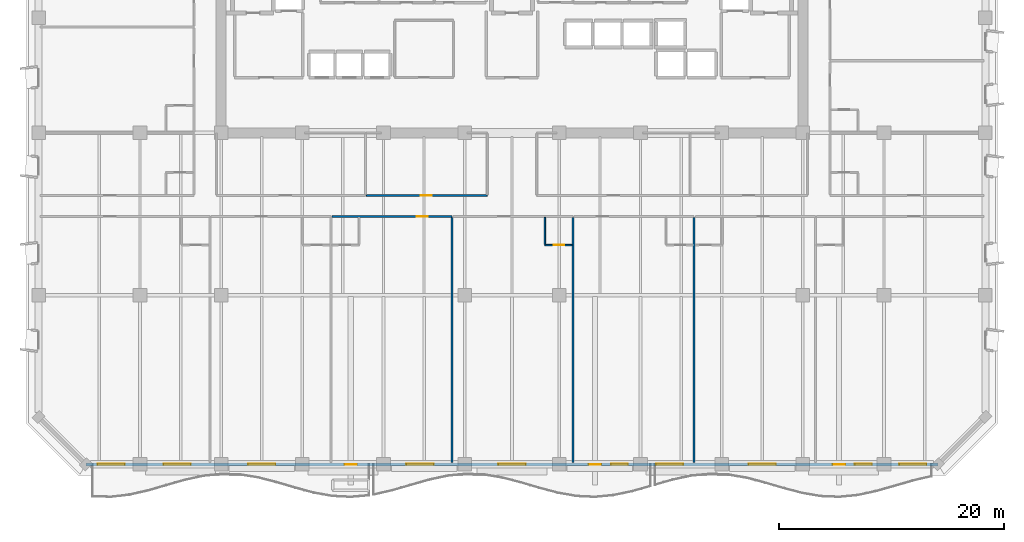
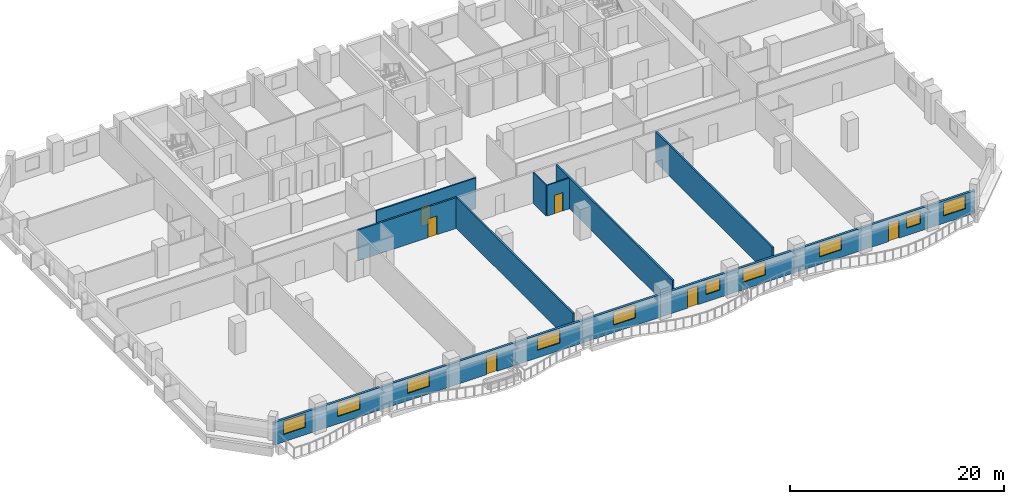
# One storey, part 5 of 15: 10 windows, 8 walls, 6 doors, 16 openings.
"""IFC4 building model written with IfcOpenShell, lengths in metres."""

from ifc_helpers import new_model, si_unit, direction, frame, frame_2d, origin, place, context, subcontext, project, spatial, rectangle, extrude, material, layer, layer_set, type_object, element, fill, save


model = new_model("IFC4")

# Units and contexts
model_context = context("Model", 3, precision=1e-05, world=origin(), true_north=direction((0.0, 1.0)))
body_context = subcontext(model_context, "Body", "Model", "MODEL_VIEW")
ifc_project = project(units=[si_unit("LENGTHUNIT", "METRE"), si_unit("AREAUNIT", "SQUARE_METRE"), si_unit("VOLUMEUNIT", "CUBIC_METRE"), si_unit("PLANEANGLEUNIT", "RADIAN"), si_unit("MASSUNIT", "GRAM", prefix="KILO")], contexts=[model_context])

# Site, building, storey
site_placement = place(None, origin())
site = spatial("IfcSite", under=ifc_project, at=site_placement, CompositionType="ELEMENT")
building_placement = place(site_placement, origin())
building = spatial("IfcBuilding", under=site, at=building_placement, Name="Kaelvorn Grand Hotel", CompositionType="ELEMENT")
storey_placement = place(building_placement, frame((0.0, 0.0, 100.550048828125)))
storey = spatial("IfcBuildingStorey", under=building, at=storey_placement, Name="L23", CompositionType="ELEMENT", Elevation=100.550048828125)

# Wall, openings, doors, windows
ifc_material_1 = material(Name="Concrete C40/50", Category="concrete")
ifc_layer_1 = layer(ifc_material_1, 0.260009765625)
ifc_layer_set_1 = layer_set([ifc_layer_1], Name="Concrete C40/50")
wall_type_1 = type_object("IfcWallType", Name="WL-EXT-260-C40", PredefinedType="SOLIDWALL", material=ifc_layer_set_1)
wall_1_placement = place(storey_placement, frame((4.199951171875, 0.0, 0.0), z_axis=(0.0, 0.0, 1.0), x_axis=(1.0, 0.0, 0.0)))
wall_1 = element("IfcWall", 1, at=wall_1_placement, inside=storey, type_object=wall_type_1, Name="L23 Exterior Architectural Concrete Wall 01", PredefinedType="SOLIDWALL", context=body_context, shape_type="SweptSolid", body=[
    extrude(rectangle(XDim=75.60009765625, YDim=0.260009765625, at=frame_2d((37.800048828125, 0.0))), origin(), (0.0, 0.0, 1.0), 2.56005859375),
])
opening_1_placement = place(wall_1_placement, frame((22.94775390625, 0.0, 0.0)))
opening_1 = element("IfcOpeningElement", 2, at=opening_1_placement, cuts=wall_1, Name="Opening DE2", PredefinedType="OPENING", context=body_context, shape_type="SweptSolid", body=[
    extrude(rectangle(XDim=1.10009765625, YDim=2.14990234375, at=frame_2d((0.550048828125, 1.074951171875))), frame((0.0, 0.14013671875, 0.0), z_axis=(0.0, -1.0, 0.0), x_axis=(1.0, 0.0, 0.0)), (0.0, 0.0, 1.0), 0.280029296875),
])
opening_2_placement = place(wall_1_placement, frame((44.610107421875, 0.0, 0.0)))
opening_2 = element("IfcOpeningElement", 3, at=opening_2_placement, cuts=wall_1, Name="Opening DE2", PredefinedType="OPENING", context=body_context, shape_type="SweptSolid", body=[
    extrude(rectangle(XDim=1.10009765625, YDim=2.14990234375, at=frame_2d((0.550048828125, 1.074951171875))), frame((0.0, 0.14013671875, 0.0), z_axis=(0.0, -1.0, 0.0), x_axis=(1.0, 0.0, 0.0)), (0.0, 0.0, 1.0), 0.280029296875),
])
opening_3_placement = place(wall_1_placement, frame((66.272216796875, 0.0, 0.0)))
opening_3 = element("IfcOpeningElement", 4, at=opening_3_placement, cuts=wall_1, Name="Opening DE2", PredefinedType="OPENING", context=body_context, shape_type="SweptSolid", body=[
    extrude(rectangle(XDim=1.10009765625, YDim=2.14990234375, at=frame_2d((0.550048828125, 1.074951171875))), frame((0.0, 0.14013671875, 0.0), z_axis=(0.0, -1.0, 0.0), x_axis=(1.0, 0.0, 0.0)), (0.0, 0.0, 1.0), 0.280029296875),
])
opening_4_placement = place(wall_1_placement, frame((1.034912109375, 0.0, 0.85009765625)))
opening_4 = element("IfcOpeningElement", 5, at=opening_4_placement, cuts=wall_1, Name="Opening W6", PredefinedType="OPENING", context=body_context, shape_type="SweptSolid", body=[
    extrude(rectangle(XDim=2.39990234375, YDim=1.5, at=frame_2d((1.199951171875, 0.75))), frame((0.0, 0.14013671875, 0.0), z_axis=(0.0, -1.0, 0.0), x_axis=(1.0, 0.0, 0.0)), (0.0, 0.0, 1.0), 0.280029296875),
])
opening_5_placement = place(wall_1_placement, frame((6.896484375, 0.0, 0.85009765625)))
opening_5 = element("IfcOpeningElement", 6, at=opening_5_placement, cuts=wall_1, Name="Opening W6", PredefinedType="OPENING", context=body_context, shape_type="SweptSolid", body=[
    extrude(rectangle(XDim=2.39990234375, YDim=1.5, at=frame_2d((1.199951171875, 0.75))), frame((0.0, 0.14013671875, 0.0), z_axis=(0.0, -1.0, 0.0), x_axis=(1.0, 0.0, 0.0)), (0.0, 0.0, 1.0), 0.280029296875),
])
opening_6_placement = place(wall_1_placement, frame((14.39990234375, 0.0, 0.85009765625)))
opening_6 = element("IfcOpeningElement", 7, at=opening_6_placement, cuts=wall_1, Name="Opening W6", PredefinedType="OPENING", context=body_context, shape_type="SweptSolid", body=[
    extrude(rectangle(XDim=2.39990234375, YDim=1.5, at=frame_2d((1.199951171875, 0.75))), frame((0.0, 0.14013671875, 0.0), z_axis=(0.0, -1.0, 0.0), x_axis=(1.0, 0.0, 0.0)), (0.0, 0.0, 1.0), 0.280029296875),
])
opening_7_placement = place(wall_1_placement, frame((28.439453125, 0.0, 0.85009765625)))
opening_7 = element("IfcOpeningElement", 8, at=opening_7_placement, cuts=wall_1, Name="Opening W6", PredefinedType="OPENING", context=body_context, shape_type="SweptSolid", body=[
    extrude(rectangle(XDim=2.39990234375, YDim=1.5, at=frame_2d((1.199951171875, 0.75))), frame((0.0, 0.14013671875, 0.0), z_axis=(0.0, -1.0, 0.0), x_axis=(1.0, 0.0, 0.0)), (0.0, 0.0, 1.0), 0.280029296875),
])
opening_8_placement = place(wall_1_placement, frame((36.60009765625, 0.0, 0.85009765625)))
opening_8 = element("IfcOpeningElement", 9, at=opening_8_placement, cuts=wall_1, Name="Opening W6", PredefinedType="OPENING", context=body_context, shape_type="SweptSolid", body=[
    extrude(rectangle(XDim=2.39990234375, YDim=1.5, at=frame_2d((1.199951171875, 0.75))), frame((0.0, 0.14013671875, 0.0), z_axis=(0.0, -1.0, 0.0), x_axis=(1.0, 0.0, 0.0)), (0.0, 0.0, 1.0), 0.280029296875),
])
opening_9_placement = place(wall_1_placement, frame((46.590087890625, 0.0, 0.85009765625)))
opening_9 = element("IfcOpeningElement", 10, at=opening_9_placement, cuts=wall_1, Name="Opening W10", PredefinedType="OPENING", context=body_context, shape_type="SweptSolid", body=[
    extrude(rectangle(XDim=1.5, YDim=1.39990234375, at=frame_2d((0.75, 0.699951171875))), frame((0.0, 0.14013671875, 0.0), z_axis=(0.0, -1.0, 0.0), x_axis=(1.0, 0.0, 0.0)), (0.0, 0.0, 1.0), 0.280029296875),
])
opening_10_placement = place(wall_1_placement, frame((50.58251953125, 0.0, 0.85009765625)))
opening_10 = element("IfcOpeningElement", 11, at=opening_10_placement, cuts=wall_1, Name="Opening W6", PredefinedType="OPENING", context=body_context, shape_type="SweptSolid", body=[
    extrude(rectangle(XDim=2.39990234375, YDim=1.5, at=frame_2d((1.199951171875, 0.75))), frame((0.0, 0.14013671875, 0.0), z_axis=(0.0, -1.0, 0.0), x_axis=(1.0, 0.0, 0.0)), (0.0, 0.0, 1.0), 0.280029296875),
])
opening_11_placement = place(wall_1_placement, frame((58.800048828125, 0.0, 0.85009765625)))
opening_11 = element("IfcOpeningElement", 12, at=opening_11_placement, cuts=wall_1, Name="Opening W6", PredefinedType="OPENING", context=body_context, shape_type="SweptSolid", body=[
    extrude(rectangle(XDim=2.39990234375, YDim=1.5, at=frame_2d((1.199951171875, 0.75))), frame((0.0, 0.14013671875, 0.0), z_axis=(0.0, -1.0, 0.0), x_axis=(1.0, 0.0, 0.0)), (0.0, 0.0, 1.0), 0.280029296875),
])
opening_12_placement = place(wall_1_placement, frame((68.22119140625, 0.0, 0.85009765625)))
opening_12 = element("IfcOpeningElement", 13, at=opening_12_placement, cuts=wall_1, Name="Opening W10", PredefinedType="OPENING", context=body_context, shape_type="SweptSolid", body=[
    extrude(rectangle(XDim=1.5, YDim=1.39990234375, at=frame_2d((0.75, 0.699951171875))), frame((0.0, 0.14013671875, 0.0), z_axis=(0.0, -1.0, 0.0), x_axis=(1.0, 0.0, 0.0)), (0.0, 0.0, 1.0), 0.280029296875),
])
opening_13_placement = place(wall_1_placement, frame((72.1650390625, 0.0, 0.85009765625)))
opening_13 = element("IfcOpeningElement", 14, at=opening_13_placement, cuts=wall_1, Name="Opening W6", PredefinedType="OPENING", context=body_context, shape_type="SweptSolid", body=[
    extrude(rectangle(XDim=2.39990234375, YDim=1.5, at=frame_2d((1.199951171875, 0.75))), frame((0.0, 0.14013671875, 0.0), z_axis=(0.0, -1.0, 0.0), x_axis=(1.0, 0.0, 0.0)), (0.0, 0.0, 1.0), 0.280029296875),
])
ifc_material_2 = material(Name="Anodised Aluminium", Category="aluminium")
door_type_1 = type_object("IfcDoorType", Name="DR-EXT-BALC-1100x2150", OperationType="NOTDEFINED", PredefinedType="DOOR", material=ifc_material_2)
door_1_placement = place(opening_1_placement, origin())
door_1 = element("IfcDoor", 15, at=door_1_placement, inside=storey, type_object=door_type_1, Name="L23 Scalloped Balcony Glazed Door DE2-1", OperationType="SINGLE_SWING_LEFT", OverallHeight=2.14990234375, OverallWidth=1.10009765625, PredefinedType="DOOR", context=body_context, shape_type="SweptSolid", body=[
    extrude(rectangle(XDim=1.10009765625, YDim=2.14990234375, at=frame_2d((0.550048828125, 1.074951171875))), frame((0.0, 0.02490234375, 0.0), z_axis=(0.0, -1.0, 0.0), x_axis=(1.0, 0.0, 0.0)), (0.0, 0.0, 1.0), 0.050048828125),
])
fill(opening_1, door_1)
door_2_placement = place(opening_2_placement, origin())
door_2 = element("IfcDoor", 16, at=door_2_placement, inside=storey, type_object=door_type_1, Name="L23 Scalloped Balcony Glazed Door DE2-2", OperationType="SINGLE_SWING_RIGHT", OverallHeight=2.14990234375, OverallWidth=1.10009765625, PredefinedType="DOOR", context=body_context, shape_type="SweptSolid", body=[
    extrude(rectangle(XDim=1.10009765625, YDim=2.14990234375, at=frame_2d((0.550048828125, 1.074951171875))), frame((0.0, 0.02490234375, 0.0), z_axis=(0.0, -1.0, 0.0), x_axis=(1.0, 0.0, 0.0)), (0.0, 0.0, 1.0), 0.050048828125),
])
fill(opening_2, door_2)
door_3_placement = place(opening_3_placement, origin())
door_3 = element("IfcDoor", 17, at=door_3_placement, inside=storey, type_object=door_type_1, Name="L23 Scalloped Balcony Glazed Door DE2-3", OperationType="SINGLE_SWING_LEFT", OverallHeight=2.14990234375, OverallWidth=1.10009765625, PredefinedType="DOOR", context=body_context, shape_type="SweptSolid", body=[
    extrude(rectangle(XDim=1.10009765625, YDim=2.14990234375, at=frame_2d((0.550048828125, 1.074951171875))), frame((0.0, 0.02490234375, 0.0), z_axis=(0.0, -1.0, 0.0), x_axis=(1.0, 0.0, 0.0)), (0.0, 0.0, 1.0), 0.050048828125),
])
fill(opening_3, door_3)
ifc_material_3 = material(Name="Laminated Low-E Glass", Category="glass")
window_type_1 = type_object("IfcWindowType", Name="WIN-COR-1500x1400", PartitioningType="SINGLE_PANEL", PredefinedType="WINDOW", material=ifc_material_3)
window_1_placement = place(opening_9_placement, origin())
window_1 = element("IfcWindow", 18, at=window_1_placement, inside=storey, type_object=window_type_1, Name="L23 South Guestroom Ribbon Window SR06", OverallHeight=1.39990234375, OverallWidth=1.5, PartitioningType="SINGLE_PANEL", PredefinedType="WINDOW", context=body_context, shape_type="SweptSolid", body=[
    extrude(rectangle(XDim=1.5, YDim=1.39990234375, at=frame_2d((0.75, 0.699951171875))), frame((0.0, 0.030029296875, 0.0), z_axis=(0.0, -1.0, 0.0), x_axis=(1.0, 0.0, 0.0)), (0.0, 0.0, 1.0), 0.06005859375),
])
fill(opening_9, window_1)
window_2_placement = place(opening_12_placement, origin())
window_2 = element("IfcWindow", 19, at=window_2_placement, inside=storey, type_object=window_type_1, Name="L23 South Guestroom Ribbon Window SR09", OverallHeight=1.39990234375, OverallWidth=1.5, PartitioningType="SINGLE_PANEL", PredefinedType="WINDOW", context=body_context, shape_type="SweptSolid", body=[
    extrude(rectangle(XDim=1.5, YDim=1.39990234375, at=frame_2d((0.75, 0.699951171875))), frame((0.0, 0.030029296875, 0.0), z_axis=(0.0, -1.0, 0.0), x_axis=(1.0, 0.0, 0.0)), (0.0, 0.0, 1.0), 0.06005859375),
])
fill(opening_12, window_2)
window_type_2 = type_object("IfcWindowType", Name="WIN-NTH-2400x1500", PartitioningType="SINGLE_PANEL", PredefinedType="WINDOW", material=ifc_material_3)
window_3_placement = place(opening_4_placement, origin())
window_3 = element("IfcWindow", 20, at=window_3_placement, inside=storey, type_object=window_type_2, Name="L23 South Guestroom Ribbon Window SR01", OverallHeight=1.5, OverallWidth=2.39990234375, PartitioningType="SINGLE_PANEL", PredefinedType="WINDOW", context=body_context, shape_type="SweptSolid", body=[
    extrude(rectangle(XDim=2.39990234375, YDim=1.5, at=frame_2d((1.199951171875, 0.75))), frame((0.0, 0.030029296875, 0.0), z_axis=(0.0, -1.0, 0.0), x_axis=(1.0, 0.0, 0.0)), (0.0, 0.0, 1.0), 0.06005859375),
])
fill(opening_4, window_3)
window_4_placement = place(opening_5_placement, origin())
window_4 = element("IfcWindow", 21, at=window_4_placement, inside=storey, type_object=window_type_2, Name="L23 South Guestroom Ribbon Window SR02", OverallHeight=1.5, OverallWidth=2.39990234375, PartitioningType="SINGLE_PANEL", PredefinedType="WINDOW", context=body_context, shape_type="SweptSolid", body=[
    extrude(rectangle(XDim=2.39990234375, YDim=1.5, at=frame_2d((1.199951171875, 0.75))), frame((0.0, 0.030029296875, 0.0), z_axis=(0.0, -1.0, 0.0), x_axis=(1.0, 0.0, 0.0)), (0.0, 0.0, 1.0), 0.06005859375),
])
fill(opening_5, window_4)
window_5_placement = place(opening_6_placement, origin())
window_5 = element("IfcWindow", 22, at=window_5_placement, inside=storey, type_object=window_type_2, Name="L23 South Guestroom Ribbon Window SR03", OverallHeight=1.5, OverallWidth=2.39990234375, PartitioningType="SINGLE_PANEL", PredefinedType="WINDOW", context=body_context, shape_type="SweptSolid", body=[
    extrude(rectangle(XDim=2.39990234375, YDim=1.5, at=frame_2d((1.199951171875, 0.75))), frame((0.0, 0.030029296875, 0.0), z_axis=(0.0, -1.0, 0.0), x_axis=(1.0, 0.0, 0.0)), (0.0, 0.0, 1.0), 0.06005859375),
])
fill(opening_6, window_5)
window_6_placement = place(opening_7_placement, origin())
window_6 = element("IfcWindow", 23, at=window_6_placement, inside=storey, type_object=window_type_2, Name="L23 South Guestroom Ribbon Window SR04", OverallHeight=1.5, OverallWidth=2.39990234375, PartitioningType="SINGLE_PANEL", PredefinedType="WINDOW", context=body_context, shape_type="SweptSolid", body=[
    extrude(rectangle(XDim=2.39990234375, YDim=1.5, at=frame_2d((1.199951171875, 0.75))), frame((0.0, 0.030029296875, 0.0), z_axis=(0.0, -1.0, 0.0), x_axis=(1.0, 0.0, 0.0)), (0.0, 0.0, 1.0), 0.06005859375),
])
fill(opening_7, window_6)
window_7_placement = place(opening_8_placement, origin())
window_7 = element("IfcWindow", 24, at=window_7_placement, inside=storey, type_object=window_type_2, Name="L23 South Guestroom Ribbon Window SR05", OverallHeight=1.5, OverallWidth=2.39990234375, PartitioningType="SINGLE_PANEL", PredefinedType="WINDOW", context=body_context, shape_type="SweptSolid", body=[
    extrude(rectangle(XDim=2.39990234375, YDim=1.5, at=frame_2d((1.199951171875, 0.75))), frame((0.0, 0.030029296875, 0.0), z_axis=(0.0, -1.0, 0.0), x_axis=(1.0, 0.0, 0.0)), (0.0, 0.0, 1.0), 0.06005859375),
])
fill(opening_8, window_7)
window_8_placement = place(opening_10_placement, origin())
window_8 = element("IfcWindow", 25, at=window_8_placement, inside=storey, type_object=window_type_2, Name="L23 South Guestroom Ribbon Window SR07", OverallHeight=1.5, OverallWidth=2.39990234375, PartitioningType="SINGLE_PANEL", PredefinedType="WINDOW", context=body_context, shape_type="SweptSolid", body=[
    extrude(rectangle(XDim=2.39990234375, YDim=1.5, at=frame_2d((1.199951171875, 0.75))), frame((0.0, 0.030029296875, 0.0), z_axis=(0.0, -1.0, 0.0), x_axis=(1.0, 0.0, 0.0)), (0.0, 0.0, 1.0), 0.06005859375),
])
fill(opening_10, window_8)
window_9_placement = place(opening_11_placement, origin())
window_9 = element("IfcWindow", 26, at=window_9_placement, inside=storey, type_object=window_type_2, Name="L23 South Guestroom Ribbon Window SR08", OverallHeight=1.5, OverallWidth=2.39990234375, PartitioningType="SINGLE_PANEL", PredefinedType="WINDOW", context=body_context, shape_type="SweptSolid", body=[
    extrude(rectangle(XDim=2.39990234375, YDim=1.5, at=frame_2d((1.199951171875, 0.75))), frame((0.0, 0.030029296875, 0.0), z_axis=(0.0, -1.0, 0.0), x_axis=(1.0, 0.0, 0.0)), (0.0, 0.0, 1.0), 0.06005859375),
])
fill(opening_11, window_9)
window_10_placement = place(opening_13_placement, origin())
window_10 = element("IfcWindow", 27, at=window_10_placement, inside=storey, type_object=window_type_2, Name="L23 South Guestroom Ribbon Window SR10", OverallHeight=1.5, OverallWidth=2.39990234375, PartitioningType="SINGLE_PANEL", PredefinedType="WINDOW", context=body_context, shape_type="SweptSolid", body=[
    extrude(rectangle(XDim=2.39990234375, YDim=1.5, at=frame_2d((1.199951171875, 0.75))), frame((0.0, 0.030029296875, 0.0), z_axis=(0.0, -1.0, 0.0), x_axis=(1.0, 0.0, 0.0)), (0.0, 0.0, 1.0), 0.06005859375),
])
fill(opening_13, window_10)

# Wall, opening, door
ifc_material_4 = material(Name="Moisture-Resistant Tile & Stud Board")
ifc_layer_2 = layer(ifc_material_4, 0.125)
ifc_layer_set_2 = layer_set([ifc_layer_2], Name="Moisture-Resistant Tile & Stud Board")
wall_type_2 = type_object("IfcWallType", Name="WL-PART-125-WET", PredefinedType="PARTITIONING", material=ifc_layer_set_2)
wall_2_placement = place(storey_placement, frame((44.921630859375, 19.449951171875, 0.0), z_axis=(0.0, 0.0, 1.0), x_axis=(1.0, 0.0, 0.0)))
wall_2 = element("IfcWall", 28, at=wall_2_placement, inside=storey, type_object=wall_type_2, Name="L23 En-suite Bathroom L23-04 S Partition", PredefinedType="PARTITIONING", context=body_context, shape_type="SweptSolid", body=[
    extrude(rectangle(XDim=2.405029296875, YDim=0.125, at=frame_2d((1.20263671875, 0.0))), origin(), (0.0, 0.0, 1.0), 3.510009765625),
])
opening_14_placement = place(wall_2_placement, frame((0.800048828125, 0.0, 0.0)))
opening_14 = element("IfcOpeningElement", 29, at=opening_14_placement, cuts=wall_2, Name="Opening DI4", PredefinedType="OPENING", context=body_context, shape_type="SweptSolid", body=[
    extrude(rectangle(XDim=0.89990234375, YDim=2.10009765625, at=frame_2d((0.449951171875, 1.050048828125))), frame((0.0, 0.072509765625, 0.0), z_axis=(0.0, -1.0, 0.0), x_axis=(1.0, 0.0, 0.0)), (0.0, 0.0, 1.0), 0.14501953125),
])
ifc_material_5 = material(Name="Timber Veneer Leaf", Category="wood")
door_type_2 = type_object("IfcDoorType", Name="DR-INT-BATH-900x2100", OperationType="NOTDEFINED", PredefinedType="DOOR", material=ifc_material_5)
door_4_placement = place(opening_14_placement, origin())
door_4 = element("IfcDoor", 30, at=door_4_placement, inside=storey, type_object=door_type_2, Name="L23 En-suite Bathroom L23-04 Door", OperationType="SINGLE_SWING_LEFT", OverallHeight=2.10009765625, OverallWidth=0.89990234375, PredefinedType="DOOR", context=body_context, shape_type="SweptSolid", body=[
    extrude(rectangle(XDim=0.89990234375, YDim=2.10009765625, at=frame_2d((0.449951171875, 1.050048828125))), frame((0.0, 0.02490234375, 0.0), z_axis=(0.0, -1.0, 0.0), x_axis=(1.0, 0.0, 0.0)), (0.0, 0.0, 1.0), 0.050048828125),
])
fill(opening_14, door_4)

# Wall
wall_3_placement = place(storey_placement, frame((44.921630859375, 19.517578125, 0.0), z_axis=(0.0, 0.0, 1.0), x_axis=(0.0, 1.0, 0.0)))
element("IfcWall", 31, at=wall_3_placement, inside=storey, type_object=wall_type_2, Name="L23 En-suite Bathroom L23-04 W Partition", PredefinedType="PARTITIONING", context=body_context, shape_type="SweptSolid", body=[
    extrude(rectangle(XDim=2.387451171875, YDim=0.125, at=frame_2d((1.19384765625, 0.0))), origin(), (0.0, 0.0, 1.0), 3.510009765625),
])

# Wall, opening, door
ifc_material_6 = material(Name="Acoustic Gypsum & Stud Partition")
ifc_layer_3 = layer(ifc_material_6, 0.14990234375)
ifc_layer_set_3 = layer_set([ifc_layer_3], Name="Acoustic Gypsum & Stud Partition")
wall_type_3 = type_object("IfcWallType", Name="WL-PART-150-EI60", PredefinedType="PARTITIONING", material=ifc_layer_set_3)
wall_4_placement = place(storey_placement, frame((29.080078125, 23.85009765625, 0.0), z_axis=(0.0, 0.0, 1.0), x_axis=(1.0, 0.0, 0.0)))
wall_4 = element("IfcWall", 32, at=wall_4_placement, inside=storey, type_object=wall_type_3, Name="L23 Private Chef Kitchen S Partition", PredefinedType="PARTITIONING", context=body_context, shape_type="SweptSolid", body=[
    extrude(rectangle(XDim=10.719970703125, YDim=0.14990234375, at=frame_2d((5.35986328125, 0.0))), origin(), (0.0, 0.0, 1.0), 3.510009765625),
])
opening_15_placement = place(wall_4_placement, frame((4.820068359375, 0.0, 0.0)))
opening_15 = element("IfcOpeningElement", 33, at=opening_15_placement, cuts=wall_4, Name="Opening DI3", PredefinedType="OPENING", context=body_context, shape_type="SweptSolid", body=[
    extrude(rectangle(XDim=1.0, YDim=2.14990234375, at=frame_2d((0.5, 1.074951171875))), frame((0.0, 0.0849609375, 0.0), z_axis=(0.0, -1.0, 0.0), x_axis=(1.0, 0.0, 0.0)), (0.0, 0.0, 1.0), 0.169921875),
])
ifc_material_7 = material(Name="Timber Veneer Fire Leaf", Category="wood")
door_type_3 = type_object("IfcDoorType", Name="DR-INT-GUEST-1000x2150", OperationType="NOTDEFINED", PredefinedType="DOOR", material=ifc_material_7)
door_5_placement = place(opening_15_placement, origin())
door_5 = element("IfcDoor", 34, at=door_5_placement, inside=storey, type_object=door_type_3, Name="L23 Private Chef Kitchen Door", OperationType="SINGLE_SWING_LEFT", OverallHeight=2.14990234375, OverallWidth=1.0, PredefinedType="DOOR", context=body_context, shape_type="SweptSolid", body=[
    extrude(rectangle(XDim=1.0, YDim=2.14990234375, at=frame_2d((0.5, 1.074951171875))), frame((0.0, 0.02490234375, 0.0), z_axis=(0.0, -1.0, 0.0), x_axis=(1.0, 0.0, 0.0)), (0.0, 0.0, 1.0), 0.050048828125),
])
fill(opening_15, door_5)

ifc_layer_4 = layer(ifc_material_6, 0.179931640625)
ifc_layer_set_4 = layer_set([ifc_layer_4], Name="Acoustic Gypsum & Stud Partition")
wall_type_4 = type_object("IfcWallType", Name="WL-PART-180-EI60", PredefinedType="PARTITIONING", material=ifc_layer_set_4)
wall_5_placement = place(storey_placement, frame((26.03076171875, 22.0, 0.0), z_axis=(0.0, 0.0, 1.0), x_axis=(1.0, 0.0, 0.0)))
wall_5 = element("IfcWall", 35, at=wall_5_placement, inside=storey, type_object=wall_type_4, Name="L23 Deluxe Panoramic Suite L23-03 N Partition", PredefinedType="PARTITIONING", context=body_context, shape_type="SweptSolid", body=[
    extrude(rectangle(XDim=10.64794921875, YDim=0.179931640625, at=frame_2d((5.323974609375, 0.0))), origin(), (0.0, 0.0, 1.0), 3.510009765625),
])
opening_16_placement = place(wall_5_placement, frame((7.49853515625, 0.0, 0.0)))
opening_16 = element("IfcOpeningElement", 36, at=opening_16_placement, cuts=wall_5, Name="Opening DI3", PredefinedType="OPENING", context=body_context, shape_type="SweptSolid", body=[
    extrude(rectangle(XDim=1.0, YDim=2.14990234375, at=frame_2d((0.5, 1.074951171875))), frame((0.0, 0.10009765625, 0.0), z_axis=(0.0, -1.0, 0.0), x_axis=(1.0, 0.0, 0.0)), (0.0, 0.0, 1.0), 0.199951171875),
])
door_6_placement = place(opening_16_placement, origin())
door_6 = element("IfcDoor", 37, at=door_6_placement, inside=storey, type_object=door_type_3, Name="L23 Deluxe Panoramic Suite L23-03 Door", OperationType="SINGLE_SWING_RIGHT", OverallHeight=2.14990234375, OverallWidth=1.0, PredefinedType="DOOR", context=body_context, shape_type="SweptSolid", body=[
    extrude(rectangle(XDim=1.0, YDim=2.14990234375, at=frame_2d((0.5, 1.074951171875))), frame((0.0, 0.02490234375, 0.0), z_axis=(0.0, -1.0, 0.0), x_axis=(1.0, 0.0, 0.0)), (0.0, 0.0, 1.0), 0.050048828125),
])
fill(opening_16, door_6)

# Walls
for number, where, z_axis, x_axis, name in (
    (38, (36.6787109375, 0.14990234375, 0.0), (0.0, 0.0, 1.0), (0.0, 1.0, 0.0), "L23 Deluxe Panoramic Suite L23-03 E Partition"),
    (39, (47.421630859375, 0.14990234375, 0.0), (0.0, 0.0, 1.0), (0.0, 1.0, 0.0), "L23 Deluxe Panoramic Suite L23-04 E Partition"),
    (40, (58.16455078125, 0.14990234375, 0.0), (0.0, 0.0, 1.0), (0.0, 1.0, 0.0), "L23 Deluxe Panoramic Suite L23-05 E Partition"),
):
    element("IfcWall", number, at=place(storey_placement, frame(where, z_axis=z_axis, x_axis=x_axis)), inside=storey, type_object=wall_type_4, Name=name, PredefinedType="PARTITIONING", context=body_context, shape_type="SweptSolid", body=[
        extrude(rectangle(XDim=21.755126953125, YDim=0.179931640625, at=frame_2d((10.87744140625, 0.0))), origin(), (0.0, 0.0, 1.0), 3.510009765625),
    ])

save(model, "model.ifc")
